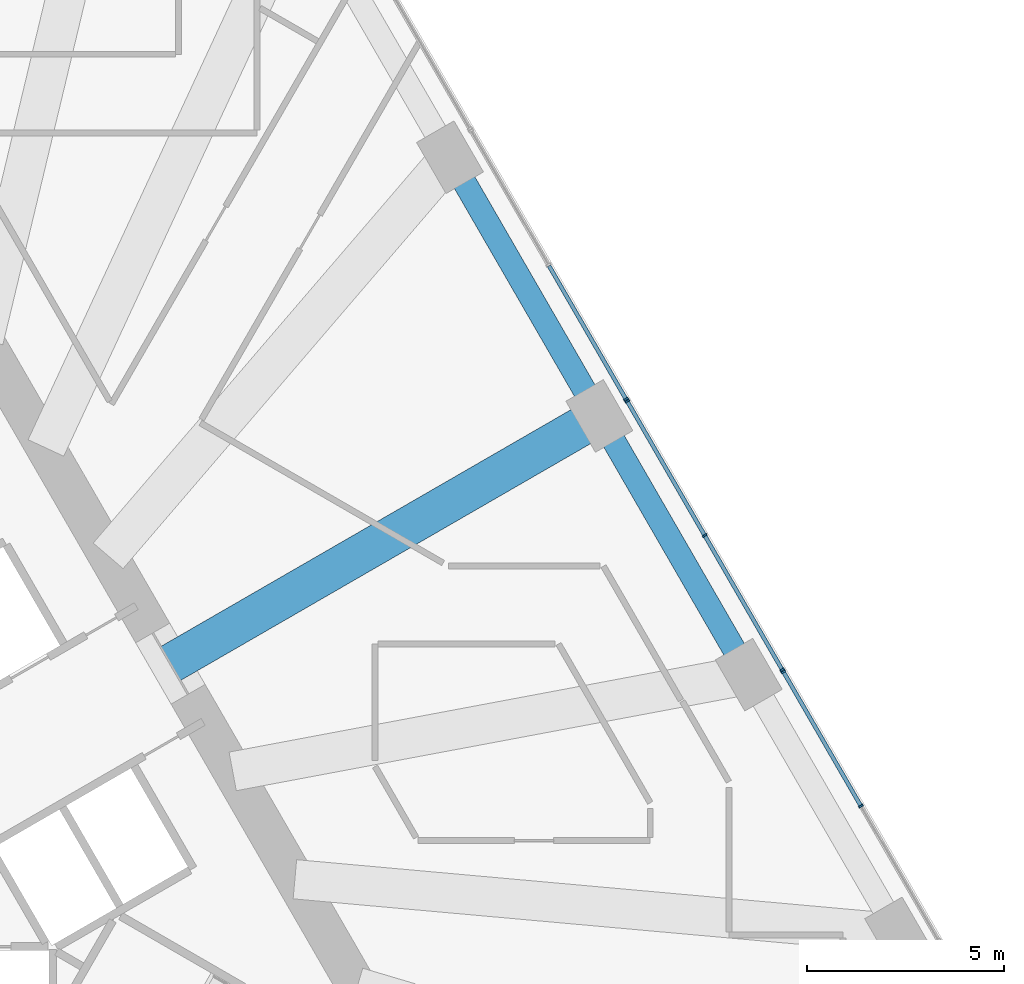
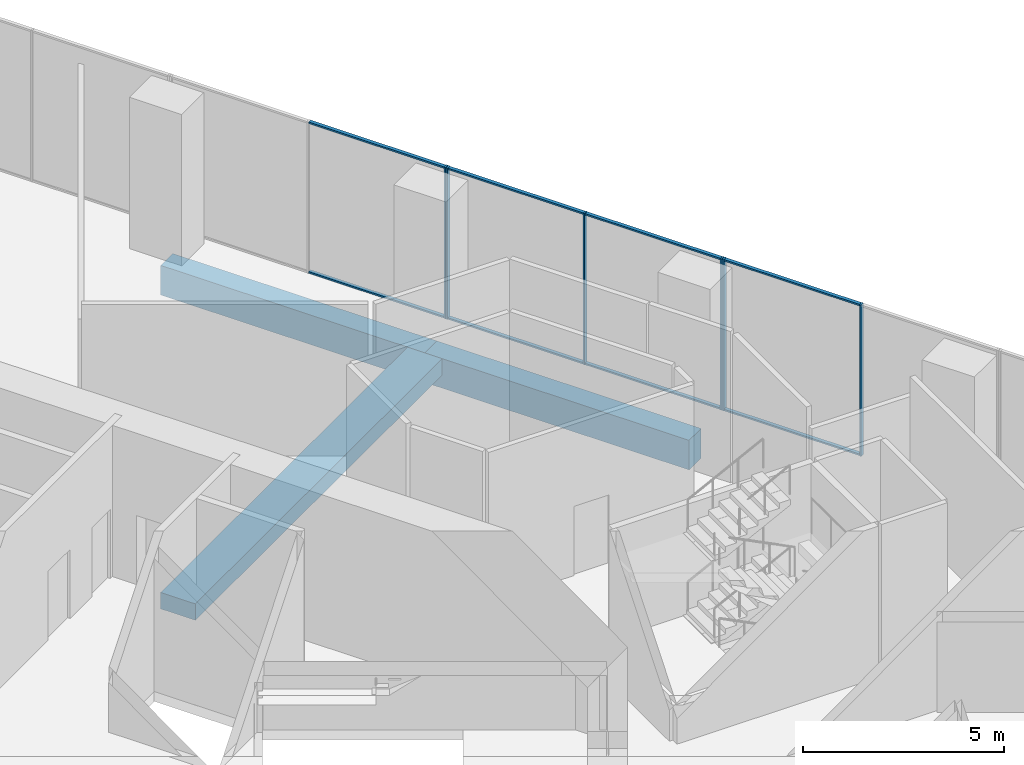
# One storey, part 15 of 32: 14 members, 3 beams, 3 elements without a shape of their own.
"""IFC4 building model written with IfcOpenShell, lengths in metres."""

from ifc_helpers import new_model, si_unit, direction, frame, origin, origin_2d, place, context, subcontext, project, spatial, rectangle, extrude, material, layer, layer_set, material_profile, profile_set, type_object, element, aggregate, save


model = new_model("IFC4")

# Units and contexts
model_context = context("Model", 3, precision=1e-05, world=origin(), true_north=direction((0.0, 1.0)))
body_context = subcontext(model_context, "Body", "Model", "MODEL_VIEW")
ifc_project = project(units=[si_unit("LENGTHUNIT", "METRE"), si_unit("AREAUNIT", "SQUARE_METRE"), si_unit("VOLUMEUNIT", "CUBIC_METRE"), si_unit("PLANEANGLEUNIT", "RADIAN"), si_unit("MASSUNIT", "GRAM", prefix="KILO")], contexts=[model_context])

# Site, building, storey
site_placement = place(None, origin())
site = spatial("IfcSite", under=ifc_project, at=site_placement, CompositionType="ELEMENT")
building_placement = place(site_placement, origin())
building = spatial("IfcBuilding", under=site, at=building_placement, Name="Triada Interchange Tower", CompositionType="ELEMENT")
storey_placement = place(building_placement, frame((0.0, 0.0, 25.300048828125)))
storey = spatial("IfcBuildingStorey", under=building, at=storey_placement, Name="L04", CompositionType="ELEMENT", Elevation=25.300048828125)

# Curtain wall, members
ifc_material_1 = material(Name="Aluminium framed glazing", Category="aluminium")
ifc_layer = layer(ifc_material_1, 0.199951171875)
ifc_layer_set = layer_set([ifc_layer], Name="Curtain wall Winter garden glazing")
curtain_wall_type = type_object("IfcCurtainWallType", Name="Curtain wall Winter garden glazing", PredefinedType="NOTDEFINED", material=ifc_layer_set)
curtain_wall_1_placement = place(storey_placement, origin())
curtain_wall_1 = element("IfcCurtainWall", 1, at=curtain_wall_1_placement, inside=storey, type_object=curtain_wall_type, Name="Winter garden glazing CW014 L04", PredefinedType="NOTDEFINED")
ifc_material_2 = material(Name="Aluminium", Category="aluminium")
ifc_material_profile_1 = material_profile(ifc_material_2, rectangle(XDim=0.1201171875, YDim=0.050048828125, at=origin_2d()), Name="Aluminium mullion")
ifc_profile_set_1 = profile_set([ifc_material_profile_1], Name="Aluminium")
member_type_1 = type_object("IfcMemberType", Name="Mullion Winter garden glazing 120x50", PredefinedType="MULLION", material=ifc_profile_set_1)
member_1_placement = place(storey_placement, frame((25.3583984375, 0.8779296875, 0.0), z_axis=(0.0, 0.0, 1.0), x_axis=(-0.866055473648, -0.499947913852, 0.0)))
member_1 = element("IfcMember", 2, at=member_1_placement, type_object=member_type_1, Name="CW014 mullion 2", PredefinedType="MULLION", context=body_context, shape_type="SweptSolid", body=[
    extrude(rectangle(XDim=0.1201171875, YDim=0.050048828125, at=origin_2d()), origin(), (0.0, 0.0, 1.0), 4.599853515625),
])
member_2_placement = place(storey_placement, frame((23.387451171875, 4.292236328125, 0.0), z_axis=(0.0, 0.0, 1.0), x_axis=(-0.866055473648, -0.499947913852, 0.0)))
member_2 = element("IfcMember", 3, at=member_2_placement, type_object=member_type_1, Name="CW014 mullion 3", PredefinedType="MULLION", context=body_context, shape_type="SweptSolid", body=[
    extrude(rectangle(XDim=0.1201171875, YDim=0.050048828125, at=origin_2d()), origin(), (0.0, 0.0, 1.0), 4.599853515625),
])

curtain_wall_2_placement = place(storey_placement, origin())
curtain_wall_2 = element("IfcCurtainWall", 4, at=curtain_wall_2_placement, inside=storey, type_object=curtain_wall_type, Name="Winter garden glazing CW015 L04", PredefinedType="NOTDEFINED")
member_3_placement = place(storey_placement, frame((23.3564453125, 4.3447265625, 0.0), z_axis=(0.0, 0.0, 1.0), x_axis=(-0.866086968603, -0.499893351442, 0.0)))
member_3 = element("IfcMember", 5, at=member_3_placement, type_object=member_type_1, Name="CW015 mullion 1", PredefinedType="MULLION", context=body_context, shape_type="SweptSolid", body=[
    extrude(rectangle(XDim=0.1201171875, YDim=0.050048828125, at=origin_2d()), origin(), (0.0, 0.0, 1.0), 4.599853515625),
])
member_4_placement = place(storey_placement, frame((21.385498046875, 7.759521484375, 0.0), z_axis=(0.0, 0.0, 1.0), x_axis=(-0.866086968603, -0.499893351442, 0.0)))
member_4 = element("IfcMember", 6, at=member_4_placement, type_object=member_type_1, Name="CW015 mullion 2", PredefinedType="MULLION", context=body_context, shape_type="SweptSolid", body=[
    extrude(rectangle(XDim=0.1201171875, YDim=0.050048828125, at=origin_2d()), origin(), (0.0, 0.0, 1.0), 4.599853515625),
])
member_5_placement = place(storey_placement, frame((19.41455078125, 11.17431640625, 0.0), z_axis=(0.0, 0.0, 1.0), x_axis=(-0.866086968603, -0.499893351442, 0.0)))
member_5 = element("IfcMember", 7, at=member_5_placement, type_object=member_type_1, Name="CW015 mullion 3", PredefinedType="MULLION", context=body_context, shape_type="SweptSolid", body=[
    extrude(rectangle(XDim=0.1201171875, YDim=0.050048828125, at=origin_2d()), origin(), (0.0, 0.0, 1.0), 4.599853515625),
])

# Curtain wall, member
curtain_wall_3_placement = place(storey_placement, origin())
curtain_wall_3 = element("IfcCurtainWall", 8, at=curtain_wall_3_placement, inside=storey, type_object=curtain_wall_type, Name="Winter garden glazing CW016 L04", PredefinedType="NOTDEFINED")
member_6_placement = place(storey_placement, frame((19.383544921875, 11.2255859375, 0.0), z_axis=(0.0, 0.0, 1.0), x_axis=(-0.866086968603, -0.499893351442, 0.0)))
member_6 = element("IfcMember", 9, at=member_6_placement, type_object=member_type_1, Name="CW016 mullion 1", PredefinedType="MULLION", context=body_context, shape_type="SweptSolid", body=[
    extrude(rectangle(XDim=0.1201171875, YDim=0.050048828125, at=origin_2d()), origin(), (0.0, 0.0, 1.0), 4.599853515625),
])

# Beams
ifc_material_3 = material(Name="Concrete C50/60", Category="concrete")
ifc_material_profile_2 = material_profile(ifc_material_3, rectangle(XDim=1.0, YDim=0.5, at=origin_2d()), Name="RC 1000x500")
ifc_profile_set_2 = profile_set([ifc_material_profile_2], Name="Concrete C50/60")
beam_type_1 = type_object("IfcBeamType", Name="Radial band beam P RC 1000x500", PredefinedType="BEAM", material=ifc_profile_set_2)
beam_placement = place(storey_placement, frame((18.7060546875, 10.800048828125, -0.650146484375), z_axis=(-0.866027481415, -0.499996401421, 0.0), x_axis=(0.499996401421, -0.866027481415, 0.0)))
element("IfcBeam", 10, at=beam_placement, inside=storey, type_object=beam_type_1, Name="Radial band beam BP25 L04", PredefinedType="BEAM", context=body_context, shape_type="SweptSolid", body=[
    extrude(rectangle(XDim=1.0, YDim=0.5, at=origin_2d()), origin(), (0.0, 0.0, 1.0), 12.60009765625),
])
ifc_material_profile_3 = material_profile(ifc_material_3, rectangle(XDim=0.60009765625, YDim=0.89990234375, at=origin_2d()), Name="RC 600x900")
ifc_profile_set_3 = profile_set([ifc_material_profile_3], Name="Concrete C50/60")
beam_type_2 = type_object("IfcBeamType", Name="Spandrel beam P RC 600x900", PredefinedType="BEAM", material=ifc_profile_set_3)
for number, where, z_axis, x_axis, name in (
    (11, (22.506103515625, 4.218994140625, -0.85009765625), (-0.500046891162, 0.865998329467, 0.0), (-0.865998329467, -0.500046891162, 0.0), "Spandrel beam EP24 L04"),
    (12, (18.7060546875, 10.800048828125, -0.85009765625), (-0.500046891162, 0.865998329467, 0.0), (-0.865998329467, -0.500046891162, 0.0), "Spandrel beam EP25 L04"),
):
    element("IfcBeam", number, at=place(storey_placement, frame(where, z_axis=z_axis, x_axis=x_axis)), inside=storey, type_object=beam_type_2, Name=name, PredefinedType="BEAM", context=body_context, shape_type="SweptSolid", body=[
        extrude(rectangle(XDim=0.60009765625, YDim=0.89990234375, at=origin_2d()), origin(), (0.0, 0.0, 1.0), 7.599365234375),
    ])

# Member
ifc_material_profile_4 = material_profile(ifc_material_2, rectangle(XDim=0.10009765625, YDim=0.050048828125, at=origin_2d()), Name="Aluminium transom")
ifc_profile_set_4 = profile_set([ifc_material_profile_4], Name="Aluminium")
member_type_2 = type_object("IfcMemberType", Name="Transom Winter garden glazing 100x50", PredefinedType="USERDEFINED", material=ifc_profile_set_4)
member_7_placement = place(storey_placement, frame((25.345947265625, 0.899658203125, 0.02490234375), z_axis=(-0.499950487857, 0.866053987747, 0.0), x_axis=(-0.866053987747, -0.499950487857, 0.0)))
member_7 = element("IfcMember", 13, at=member_7_placement, type_object=member_type_2, Name="CW014 transom 2.1", ObjectType="TRANSOM", PredefinedType="USERDEFINED", context=body_context, shape_type="SweptSolid", body=[
    extrude(rectangle(XDim=0.10009765625, YDim=0.050048828125, at=origin_2d()), origin(), (0.0, 0.0, 1.0), 3.892578125),
])

member_8_placement = place(storey_placement, frame((25.345947265625, 0.899658203125, 4.574951171875), z_axis=(-0.499950487857, 0.866053987747, 0.0), x_axis=(-0.866053987747, -0.499950487857, 0.0)))
member_8 = element("IfcMember", 14, at=member_8_placement, type_object=member_type_2, Name="CW014 transom 2.2", ObjectType="TRANSOM", PredefinedType="USERDEFINED", context=body_context, shape_type="SweptSolid", body=[
    extrude(rectangle(XDim=0.10009765625, YDim=0.050048828125, at=origin_2d()), origin(), (0.0, 0.0, 1.0), 3.892578125),
])

aggregate(curtain_wall_1, [member_1, member_2, member_7, member_8])

member_9_placement = place(storey_placement, frame((23.343994140625, 4.3662109375, 0.02490234375), z_axis=(-0.499896178229, 0.866085337015, 0.0), x_axis=(-0.866085337015, -0.499896178229, 0.0)))
member_9 = element("IfcMember", 15, at=member_9_placement, type_object=member_type_2, Name="CW015 transom 1.1", ObjectType="TRANSOM", PredefinedType="USERDEFINED", context=body_context, shape_type="SweptSolid", body=[
    extrude(rectangle(XDim=0.10009765625, YDim=0.050048828125, at=origin_2d()), origin(), (0.0, 0.0, 1.0), 3.892822265625),
])

member_10_placement = place(storey_placement, frame((23.343994140625, 4.3662109375, 4.574951171875), z_axis=(-0.499896178229, 0.866085337015, 0.0), x_axis=(-0.866085337015, -0.499896178229, 0.0)))
member_10 = element("IfcMember", 16, at=member_10_placement, type_object=member_type_2, Name="CW015 transom 1.2", ObjectType="TRANSOM", PredefinedType="USERDEFINED", context=body_context, shape_type="SweptSolid", body=[
    extrude(rectangle(XDim=0.10009765625, YDim=0.050048828125, at=origin_2d()), origin(), (0.0, 0.0, 1.0), 3.892822265625),
])

member_11_placement = place(storey_placement, frame((21.373046875, 7.78125, 0.02490234375), z_axis=(-0.499923331814, 0.866069663658, 0.0), x_axis=(-0.866069663658, -0.499923331814, 0.0)))
member_11 = element("IfcMember", 17, at=member_11_placement, type_object=member_type_2, Name="CW015 transom 2.1", ObjectType="TRANSOM", PredefinedType="USERDEFINED", context=body_context, shape_type="SweptSolid", body=[
    extrude(rectangle(XDim=0.10009765625, YDim=0.050048828125, at=origin_2d()), origin(), (0.0, 0.0, 1.0), 3.892578125),
])

member_12_placement = place(storey_placement, frame((21.373046875, 7.78125, 4.574951171875), z_axis=(-0.499923331814, 0.866069663658, 0.0), x_axis=(-0.866069663658, -0.499923331814, 0.0)))
member_12 = element("IfcMember", 18, at=member_12_placement, type_object=member_type_2, Name="CW015 transom 2.2", ObjectType="TRANSOM", PredefinedType="USERDEFINED", context=body_context, shape_type="SweptSolid", body=[
    extrude(rectangle(XDim=0.10009765625, YDim=0.050048828125, at=origin_2d()), origin(), (0.0, 0.0, 1.0), 3.892578125),
])

aggregate(curtain_wall_2, [member_3, member_4, member_5, member_9, member_10, member_11, member_12])

member_13_placement = place(storey_placement, frame((19.37109375, 11.247314453125, 0.02490234375), z_axis=(-0.499896178229, 0.866085337015, 0.0), x_axis=(-0.866085337015, -0.499896178229, 0.0)))
member_13 = element("IfcMember", 19, at=member_13_placement, type_object=member_type_2, Name="CW016 transom 1.1", ObjectType="TRANSOM", PredefinedType="USERDEFINED", context=body_context, shape_type="SweptSolid", body=[
    extrude(rectangle(XDim=0.10009765625, YDim=0.050048828125, at=origin_2d()), origin(), (0.0, 0.0, 1.0), 3.892822265625),
])

member_14_placement = place(storey_placement, frame((19.37109375, 11.247314453125, 4.574951171875), z_axis=(-0.499896178229, 0.866085337015, 0.0), x_axis=(-0.866085337015, -0.499896178229, 0.0)))
member_14 = element("IfcMember", 20, at=member_14_placement, type_object=member_type_2, Name="CW016 transom 1.2", ObjectType="TRANSOM", PredefinedType="USERDEFINED", context=body_context, shape_type="SweptSolid", body=[
    extrude(rectangle(XDim=0.10009765625, YDim=0.050048828125, at=origin_2d()), origin(), (0.0, 0.0, 1.0), 3.892822265625),
])

aggregate(curtain_wall_3, [member_6, member_13, member_14])

save(model, "model.ifc")
